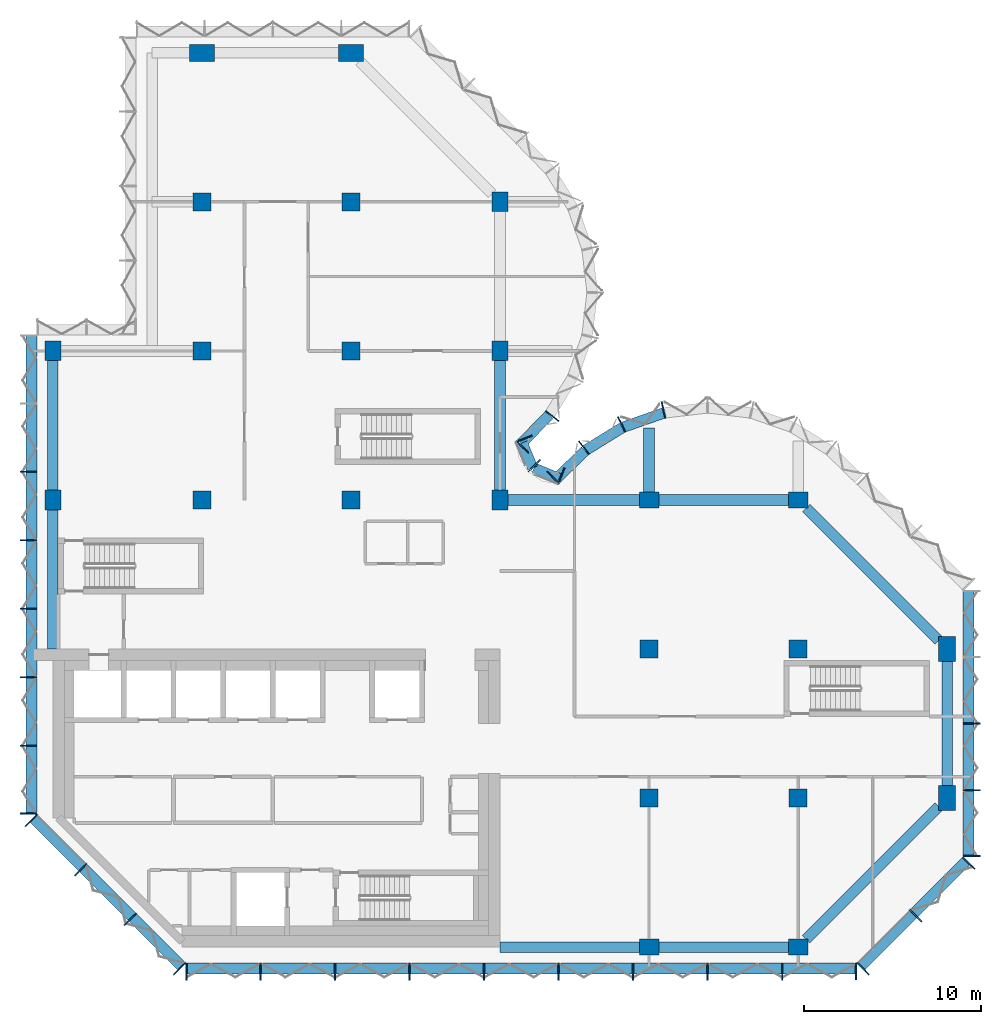
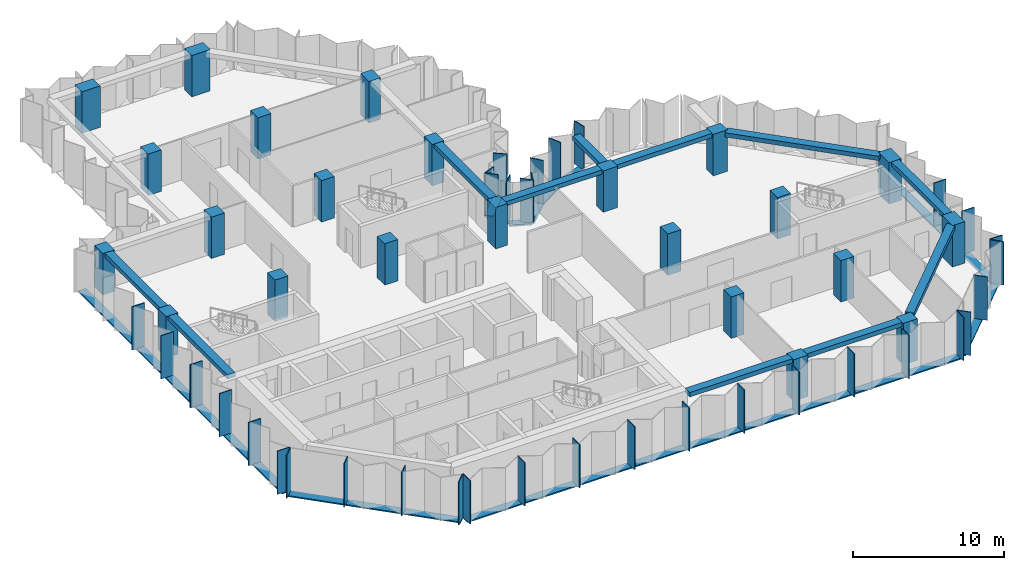
# One storey, part 1 of 9: 46 members, 23 columns, 11 beams, 8 elements without a shape of their own.
"""IFC4 building model written with IfcOpenShell, lengths in metres."""

from ifc_helpers import new_model, si_unit, direction, frame, origin, origin_2d, place, context, subcontext, project, spatial, rectangle, extrude, material, material_profile, profile_set, type_object, element, aggregate, save


model = new_model("IFC4")

# Units and contexts
model_context = context("Model", 3, precision=1e-05, world=origin(), true_north=direction((0.0, 1.0)))
body_context = subcontext(model_context, "Body", "Model", "MODEL_VIEW")
ifc_project = project(units=[si_unit("LENGTHUNIT", "METRE"), si_unit("AREAUNIT", "SQUARE_METRE"), si_unit("VOLUMEUNIT", "CUBIC_METRE"), si_unit("PLANEANGLEUNIT", "RADIAN"), si_unit("MASSUNIT", "GRAM", prefix="KILO")], contexts=[model_context])

# Site, building, storey
site_placement = place(None, origin())
site = spatial("IfcSite", under=ifc_project, at=site_placement, CompositionType="ELEMENT")
building_placement = place(site_placement, origin())
building = spatial("IfcBuilding", under=site, at=building_placement, Name="Brevane Broadcast Tower", CompositionType="ELEMENT")
storey_placement = place(building_placement, frame((0.0, 0.0, 192.0)))
storey = spatial("IfcBuildingStorey", under=building, at=storey_placement, Name="L48", CompositionType="ELEMENT", Elevation=192.0)

# Columns
ifc_material_1 = material(Name="Concrete C60/75", Category="concrete")
ifc_material_profile_1 = material_profile(ifc_material_1, rectangle(XDim=0.89990234375, YDim=1.10009765625, at=origin_2d()), Name="RC 900x1100")
ifc_profile_set_1 = profile_set([ifc_material_profile_1], Name="Concrete C60/75")
column_type_1 = type_object("IfcColumnType", Name="RC COLUMN EDGE 900x1100 C60/75", PredefinedType="COLUMN", material=ifc_profile_set_1)
for number, where, z_axis, x_axis, name in (
    (1, (0.0, 25.199951171875, 0.0), (0.0, 0.0, 1.0), (1.0, 0.0, 0.0), "CE11 1/D"),
    (2, (0.0, 33.60009765625, 0.0), (0.0, 0.0, 1.0), (1.0, 0.0, 0.0), "CE11 1/E"),
    (3, (25.199951171875, 25.199951171875, 0.0), (0.0, 0.0, 1.0), (1.0, 0.0, 0.0), "CE11 4/D"),
    (4, (25.199951171875, 33.60009765625, 0.0), (0.0, 0.0, 1.0), (1.0, 0.0, 0.0), "CE11 4/E"),
    (5, (25.199951171875, 42.0, 0.0), (0.0, 0.0, 1.0), (1.0, 0.0, 0.0), "CE11 4/F"),
    (6, (33.60009765625, 0.0, 0.0), (0.0, 0.0, 1.0), (0.0, 1.0, 0.0), "CE11 5/A"),
    (7, (33.60009765625, 25.199951171875, 0.0), (0.0, 0.0, 1.0), (0.0, 1.0, 0.0), "CE11 5/D"),
    (8, (42.0, 0.0, 0.0), (0.0, 0.0, 1.0), (0.0, 1.0, 0.0), "CE11 6/A"),
    (9, (42.0, 25.199951171875, 0.0), (0.0, 0.0, 1.0), (0.0, 1.0, 0.0), "CE11 6/D"),
):
    element("IfcColumn", number, at=place(storey_placement, frame(where, z_axis=z_axis, x_axis=x_axis)), inside=storey, type_object=column_type_1, Name=name, PredefinedType="COLUMN", context=body_context, shape_type="SweptSolid", body=[
        extrude(rectangle(XDim=0.89990234375, YDim=1.10009765625, at=origin_2d()), origin(), (0.0, 0.0, 1.0), 3.35009765625),
    ])
ifc_material_profile_2 = material_profile(ifc_material_1, rectangle(XDim=1.0, YDim=1.0, at=origin_2d()), Name="RC 1000x1000")
ifc_profile_set_2 = profile_set([ifc_material_profile_2], Name="Concrete C60/75")
column_type_2 = type_object("IfcColumnType", Name="RC COLUMN INTERIOR 1000x1000 C60/75", PredefinedType="COLUMN", material=ifc_profile_set_2)
for number, where, z_axis, x_axis, name in (
    (10, (8.39990234375, 25.199951171875, 0.0), (0.0, 0.0, 1.0), (1.0, 0.0, 0.0), "CI12 2/D"),
    (11, (8.39990234375, 33.60009765625, 0.0), (0.0, 0.0, 1.0), (1.0, 0.0, 0.0), "CI12 2/E"),
    (12, (8.39990234375, 42.0, 0.0), (0.0, 0.0, 1.0), (1.0, 0.0, 0.0), "CI12 2/F"),
    (13, (16.800048828125, 25.199951171875, 0.0), (0.0, 0.0, 1.0), (1.0, 0.0, 0.0), "CI12 3/D"),
    (14, (16.800048828125, 33.60009765625, 0.0), (0.0, 0.0, 1.0), (1.0, 0.0, 0.0), "CI12 3/E"),
    (15, (16.800048828125, 42.0, 0.0), (0.0, 0.0, 1.0), (1.0, 0.0, 0.0), "CI12 3/F"),
    (16, (33.60009765625, 8.39990234375, 0.0), (0.0, 0.0, 1.0), (1.0, 0.0, 0.0), "CI12 5/B"),
    (17, (33.60009765625, 16.800048828125, 0.0), (0.0, 0.0, 1.0), (1.0, 0.0, 0.0), "CI12 5/C"),
    (18, (42.0, 8.39990234375, 0.0), (0.0, 0.0, 1.0), (1.0, 0.0, 0.0), "CI12 6/B"),
    (19, (42.0, 16.800048828125, 0.0), (0.0, 0.0, 1.0), (1.0, 0.0, 0.0), "CI12 6/C"),
):
    element("IfcColumn", number, at=place(storey_placement, frame(where, z_axis=z_axis, x_axis=x_axis)), inside=storey, type_object=column_type_2, Name=name, PredefinedType="COLUMN", context=body_context, shape_type="SweptSolid", body=[
        extrude(rectangle(XDim=1.0, YDim=1.0, at=origin_2d()), origin(), (0.0, 0.0, 1.0), 3.35009765625),
    ])
ifc_material_profile_3 = material_profile(ifc_material_1, rectangle(XDim=0.949951171875, YDim=1.39990234375, at=origin_2d()), Name="RC 950x1400")
ifc_profile_set_3 = profile_set([ifc_material_profile_3], Name="Concrete C60/75")
column_type_3 = type_object("IfcColumnType", Name="RC COLUMN WING-END 950x1400 C60/75", PredefinedType="COLUMN", material=ifc_profile_set_3)
for number, where, z_axis, x_axis, name in (
    (20, (8.39990234375, 50.39990234375, 0.0), (0.0, 0.0, 1.0), (0.0, 1.0, 0.0), "CW13 2/G"),
    (21, (16.800048828125, 50.39990234375, 0.0), (0.0, 0.0, 1.0), (0.0, 1.0, 0.0), "CW13 3/G"),
    (22, (50.39990234375, 8.39990234375, 0.0), (0.0, 0.0, 1.0), (1.0, 0.0, 0.0), "CW13 7/B"),
    (23, (50.39990234375, 16.800048828125, 0.0), (0.0, 0.0, 1.0), (1.0, 0.0, 0.0), "CW13 7/C"),
):
    element("IfcColumn", number, at=place(storey_placement, frame(where, z_axis=z_axis, x_axis=x_axis)), inside=storey, type_object=column_type_3, Name=name, PredefinedType="COLUMN", context=body_context, shape_type="SweptSolid", body=[
        extrude(rectangle(XDim=0.949951171875, YDim=1.39990234375, at=origin_2d()), origin(), (0.0, 0.0, 1.0), 3.35009765625),
    ])

# Curtain wall, members
ifc_material_2 = material(Name="Aluminium 6063-T6 bronze anodised", Category="aluminium")
curtain_wall_type = type_object("IfcCurtainWallType", Name="CW-1 curtain wall", PredefinedType="NOTDEFINED", material=ifc_material_2)
curtain_wall_1_placement = place(storey_placement, origin())
curtain_wall_1 = element("IfcCurtainWall", 24, at=curtain_wall_1_placement, inside=storey, type_object=curtain_wall_type, Name="CW-1 typical tilted unit L48 south face", PredefinedType="NOTDEFINED")
ifc_material_profile_4 = material_profile(ifc_material_2, rectangle(XDim=0.949951171875, YDim=0.070068359375, at=origin_2d()), Name="RECT 70x950")
ifc_profile_set_4 = profile_set([ifc_material_profile_4], Name="Aluminium 6063-T6 bronze anodised")
member_type_1 = type_object("IfcMemberType", Name="CW-1 mullion 70x950", PredefinedType="MULLION", material=ifc_profile_set_4)
member_1_placement = place(storey_placement, frame((7.534912109375, -1.375, -0.14990234375), z_axis=(0.0, 0.0, 1.0), x_axis=(0.0, 1.0, 0.0)))
member_1 = element("IfcMember", 25, at=member_1_placement, type_object=member_type_1, Name="CW-1 mullion", PredefinedType="MULLION", context=body_context, shape_type="SweptSolid", body=[
    extrude(rectangle(XDim=0.949951171875, YDim=0.070068359375, at=origin_2d()), origin(), (0.0, 0.0, 1.0), 3.5),
])
member_2_placement = place(storey_placement, frame((11.699951171875, -1.375, -0.14990234375), z_axis=(0.0, 0.0, 1.0), x_axis=(0.0, 1.0, 0.0)))
member_2 = element("IfcMember", 26, at=member_2_placement, type_object=member_type_1, Name="CW-1 mullion", PredefinedType="MULLION", context=body_context, shape_type="SweptSolid", body=[
    extrude(rectangle(XDim=0.949951171875, YDim=0.070068359375, at=origin_2d()), origin(), (0.0, 0.0, 1.0), 3.5),
])
member_3_placement = place(storey_placement, frame((15.89990234375, -1.375, -0.14990234375), z_axis=(0.0, 0.0, 1.0), x_axis=(0.0, 1.0, 0.0)))
member_3 = element("IfcMember", 27, at=member_3_placement, type_object=member_type_1, Name="CW-1 mullion", PredefinedType="MULLION", context=body_context, shape_type="SweptSolid", body=[
    extrude(rectangle(XDim=0.949951171875, YDim=0.070068359375, at=origin_2d()), origin(), (0.0, 0.0, 1.0), 3.5),
])
member_4_placement = place(storey_placement, frame((20.10009765625, -1.375, -0.14990234375), z_axis=(0.0, 0.0, 1.0), x_axis=(0.0, 1.0, 0.0)))
member_4 = element("IfcMember", 28, at=member_4_placement, type_object=member_type_1, Name="CW-1 mullion", PredefinedType="MULLION", context=body_context, shape_type="SweptSolid", body=[
    extrude(rectangle(XDim=0.949951171875, YDim=0.070068359375, at=origin_2d()), origin(), (0.0, 0.0, 1.0), 3.5),
])
member_5_placement = place(storey_placement, frame((24.300048828125, -1.375, -0.14990234375), z_axis=(0.0, 0.0, 1.0), x_axis=(0.0, 1.0, 0.0)))
member_5 = element("IfcMember", 29, at=member_5_placement, type_object=member_type_1, Name="CW-1 mullion", PredefinedType="MULLION", context=body_context, shape_type="SweptSolid", body=[
    extrude(rectangle(XDim=0.949951171875, YDim=0.070068359375, at=origin_2d()), origin(), (0.0, 0.0, 1.0), 3.5),
])
member_6_placement = place(storey_placement, frame((28.5, -1.375, -0.14990234375), z_axis=(0.0, 0.0, 1.0), x_axis=(0.0, 1.0, 0.0)))
member_6 = element("IfcMember", 30, at=member_6_placement, type_object=member_type_1, Name="CW-1 mullion", PredefinedType="MULLION", context=body_context, shape_type="SweptSolid", body=[
    extrude(rectangle(XDim=0.949951171875, YDim=0.070068359375, at=origin_2d()), origin(), (0.0, 0.0, 1.0), 3.5),
])
member_7_placement = place(storey_placement, frame((32.699951171875, -1.375, -0.14990234375), z_axis=(0.0, 0.0, 1.0), x_axis=(0.0, 1.0, 0.0)))
member_7 = element("IfcMember", 31, at=member_7_placement, type_object=member_type_1, Name="CW-1 mullion", PredefinedType="MULLION", context=body_context, shape_type="SweptSolid", body=[
    extrude(rectangle(XDim=0.949951171875, YDim=0.070068359375, at=origin_2d()), origin(), (0.0, 0.0, 1.0), 3.5),
])
member_8_placement = place(storey_placement, frame((36.89990234375, -1.375, -0.14990234375), z_axis=(0.0, 0.0, 1.0), x_axis=(0.0, 1.0, 0.0)))
member_8 = element("IfcMember", 32, at=member_8_placement, type_object=member_type_1, Name="CW-1 mullion", PredefinedType="MULLION", context=body_context, shape_type="SweptSolid", body=[
    extrude(rectangle(XDim=0.949951171875, YDim=0.070068359375, at=origin_2d()), origin(), (0.0, 0.0, 1.0), 3.5),
])
member_9_placement = place(storey_placement, frame((41.10009765625, -1.375, -0.14990234375), z_axis=(0.0, 0.0, 1.0), x_axis=(0.0, 1.0, 0.0)))
member_9 = element("IfcMember", 33, at=member_9_placement, type_object=member_type_1, Name="CW-1 mullion", PredefinedType="MULLION", context=body_context, shape_type="SweptSolid", body=[
    extrude(rectangle(XDim=0.949951171875, YDim=0.070068359375, at=origin_2d()), origin(), (0.0, 0.0, 1.0), 3.5),
])
member_10_placement = place(storey_placement, frame((45.264892578125, -1.375, -0.14990234375), z_axis=(0.0, 0.0, 1.0), x_axis=(0.0, 1.0, 0.0)))
member_10 = element("IfcMember", 34, at=member_10_placement, type_object=member_type_1, Name="CW-1 mullion", PredefinedType="MULLION", context=body_context, shape_type="SweptSolid", body=[
    extrude(rectangle(XDim=0.949951171875, YDim=0.070068359375, at=origin_2d()), origin(), (0.0, 0.0, 1.0), 3.5),
])

curtain_wall_2_placement = place(storey_placement, origin())
curtain_wall_2 = element("IfcCurtainWall", 35, at=curtain_wall_2_placement, inside=storey, type_object=curtain_wall_type, Name="CW-1 typical tilted unit L48 south-east chamfer", PredefinedType="NOTDEFINED")
member_11_placement = place(storey_placement, frame((45.66064453125, -1.211181640625, -0.14990234375), z_axis=(0.0, 0.0, 1.0), x_axis=(-0.707106781187, 0.707106781187, 0.0)))
member_11 = element("IfcMember", 36, at=member_11_placement, type_object=member_type_1, Name="CW-1 mullion", PredefinedType="MULLION", context=body_context, shape_type="SweptSolid", body=[
    extrude(rectangle(XDim=0.949951171875, YDim=0.070068359375, at=origin_2d()), origin(), (0.0, 0.0, 1.0), 3.5),
])
member_12_placement = place(storey_placement, frame((48.635986328125, 1.76416015625, -0.14990234375), z_axis=(0.0, 0.0, 1.0), x_axis=(-0.707106781187, 0.707106781187, 0.0)))
member_12 = element("IfcMember", 37, at=member_12_placement, type_object=member_type_1, Name="CW-1 mullion", PredefinedType="MULLION", context=body_context, shape_type="SweptSolid", body=[
    extrude(rectangle(XDim=0.949951171875, YDim=0.070068359375, at=origin_2d()), origin(), (0.0, 0.0, 1.0), 3.5),
])
member_13_placement = place(storey_placement, frame((51.611083984375, 4.7392578125, -0.14990234375), z_axis=(0.0, 0.0, 1.0), x_axis=(-0.707106781187, 0.707106781187, 0.0)))
member_13 = element("IfcMember", 38, at=member_13_placement, type_object=member_type_1, Name="CW-1 mullion", PredefinedType="MULLION", context=body_context, shape_type="SweptSolid", body=[
    extrude(rectangle(XDim=0.949951171875, YDim=0.070068359375, at=origin_2d()), origin(), (0.0, 0.0, 1.0), 3.5),
])

curtain_wall_3_placement = place(storey_placement, origin())
curtain_wall_3 = element("IfcCurtainWall", 39, at=curtain_wall_3_placement, inside=storey, type_object=curtain_wall_type, Name="CW-1 typical tilted unit L48 east end", PredefinedType="NOTDEFINED")
member_14_placement = place(storey_placement, frame((51.77490234375, 5.135009765625, -0.14990234375), z_axis=(0.0, 0.0, 1.0), x_axis=(-1.0, 0.0, 0.0)))
member_14 = element("IfcMember", 40, at=member_14_placement, type_object=member_type_1, Name="CW-1 mullion", PredefinedType="MULLION", context=body_context, shape_type="SweptSolid", body=[
    extrude(rectangle(XDim=0.949951171875, YDim=0.070068359375, at=origin_2d()), origin(), (0.0, 0.0, 1.0), 3.5),
])
member_15_placement = place(storey_placement, frame((51.77490234375, 8.85009765625, -0.14990234375), z_axis=(0.0, 0.0, 1.0), x_axis=(-1.0, 0.0, 0.0)))
member_15 = element("IfcMember", 41, at=member_15_placement, type_object=member_type_1, Name="CW-1 mullion", PredefinedType="MULLION", context=body_context, shape_type="SweptSolid", body=[
    extrude(rectangle(XDim=0.949951171875, YDim=0.070068359375, at=origin_2d()), origin(), (0.0, 0.0, 1.0), 3.5),
])
member_16_placement = place(storey_placement, frame((51.77490234375, 12.60009765625, -0.14990234375), z_axis=(0.0, 0.0, 1.0), x_axis=(-1.0, 0.0, 0.0)))
member_16 = element("IfcMember", 42, at=member_16_placement, type_object=member_type_1, Name="CW-1 mullion", PredefinedType="MULLION", context=body_context, shape_type="SweptSolid", body=[
    extrude(rectangle(XDim=0.949951171875, YDim=0.070068359375, at=origin_2d()), origin(), (0.0, 0.0, 1.0), 3.5),
])

curtain_wall_4_placement = place(storey_placement, origin())
curtain_wall_4 = element("IfcCurtainWall", 43, at=curtain_wall_4_placement, inside=storey, type_object=curtain_wall_type, Name="CW-1 typical tilted unit L48 east bow", PredefinedType="NOTDEFINED")
member_17_placement = place(storey_placement, frame((34.411865234375, 30.28076171875, -0.14990234375), z_axis=(0.0, 0.0, 1.0), x_axis=(0.224806535479, -0.974403418306, 0.0)))
member_17 = element("IfcMember", 44, at=member_17_placement, type_object=member_type_1, Name="CW-1 mullion", PredefinedType="MULLION", context=body_context, shape_type="SweptSolid", body=[
    extrude(rectangle(XDim=0.949951171875, YDim=0.070068359375, at=origin_2d()), origin(), (0.0, 0.0, 1.0), 3.5),
])
member_18_placement = place(storey_placement, frame((32.05322265625, 29.4580078125, -0.14990234375), z_axis=(0.0, 0.0, 1.0), x_axis=(0.429933580394, -0.902860518823, 0.0)))
member_18 = element("IfcMember", 45, at=member_18_placement, type_object=member_type_1, Name="CW-1 mullion", PredefinedType="MULLION", context=body_context, shape_type="SweptSolid", body=[
    extrude(rectangle(XDim=0.949951171875, YDim=0.070068359375, at=origin_2d()), origin(), (0.0, 0.0, 1.0), 3.5),
])
member_19_placement = place(storey_placement, frame((29.927978515625, 28.1455078125, -0.14990234375), z_axis=(0.0, 0.0, 1.0), x_axis=(0.614769698862, -0.788706673841, 0.0)))
member_19 = element("IfcMember", 46, at=member_19_placement, type_object=member_type_1, Name="CW-1 mullion", PredefinedType="MULLION", context=body_context, shape_type="SweptSolid", body=[
    extrude(rectangle(XDim=0.949951171875, YDim=0.070068359375, at=origin_2d()), origin(), (0.0, 0.0, 1.0), 3.5),
])
member_20_placement = place(storey_placement, frame((28.194091796875, 26.465087890625, -0.14990234375), z_axis=(0.0, 0.0, 1.0), x_axis=(0.696812089895, -0.717253728729, 0.0)))
member_20 = element("IfcMember", 47, at=member_20_placement, type_object=member_type_1, Name="CW-1 mullion", PredefinedType="MULLION", context=body_context, shape_type="SweptSolid", body=[
    extrude(rectangle(XDim=0.949951171875, YDim=0.070068359375, at=origin_2d()), origin(), (0.0, 0.0, 1.0), 3.5),
])

curtain_wall_5_placement = place(storey_placement, origin())
curtain_wall_5 = element("IfcCurtainWall", 48, at=curtain_wall_5_placement, inside=storey, type_object=curtain_wall_type, Name="CW-1 typical tilted unit L48 inner corner", PredefinedType="NOTDEFINED")
member_21_placement = place(storey_placement, frame((28.6494140625, 26.55224609375, -0.14990234375), z_axis=(0.0, 0.0, 1.0), x_axis=(-0.382683432365, -0.923879532511, 0.0)))
member_21 = element("IfcMember", 49, at=member_21_placement, type_object=member_type_1, Name="CW-1 mullion", PredefinedType="MULLION", context=body_context, shape_type="SweptSolid", body=[
    extrude(rectangle(XDim=0.949951171875, YDim=0.070068359375, at=origin_2d()), origin(), (0.0, 0.0, 1.0), 3.5),
])
member_22_placement = place(storey_placement, frame((27.138916015625, 27.138916015625, -0.14990234375), z_axis=(0.0, 0.0, 1.0), x_axis=(-0.707106781187, -0.707106781187, 0.0)))
member_22 = element("IfcMember", 50, at=member_22_placement, type_object=member_type_1, Name="CW-1 mullion", PredefinedType="MULLION", context=body_context, shape_type="SweptSolid", body=[
    extrude(rectangle(XDim=0.949951171875, YDim=0.070068359375, at=origin_2d()), origin(), (0.0, 0.0, 1.0), 3.5),
])
member_23_placement = place(storey_placement, frame((26.55224609375, 28.6494140625, -0.14990234375), z_axis=(0.0, 0.0, 1.0), x_axis=(-0.923879532511, -0.382683432365, 0.0)))
member_23 = element("IfcMember", 51, at=member_23_placement, type_object=member_type_1, Name="CW-1 mullion", PredefinedType="MULLION", context=body_context, shape_type="SweptSolid", body=[
    extrude(rectangle(XDim=0.949951171875, YDim=0.070068359375, at=origin_2d()), origin(), (0.0, 0.0, 1.0), 3.5),
])

curtain_wall_6_placement = place(storey_placement, origin())
curtain_wall_6 = element("IfcCurtainWall", 52, at=curtain_wall_6_placement, inside=storey, type_object=curtain_wall_type, Name="CW-1 typical tilted unit L48 north bow", PredefinedType="NOTDEFINED")
member_24_placement = place(storey_placement, frame((26.465087890625, 28.194091796875, -0.14990234375), z_axis=(0.0, 0.0, 1.0), x_axis=(-0.717253728729, 0.696812089895, 0.0)))
member_24 = element("IfcMember", 53, at=member_24_placement, type_object=member_type_1, Name="CW-1 mullion", PredefinedType="MULLION", context=body_context, shape_type="SweptSolid", body=[
    extrude(rectangle(XDim=0.949951171875, YDim=0.070068359375, at=origin_2d()), origin(), (0.0, 0.0, 1.0), 3.5),
])
member_25_placement = place(storey_placement, frame((28.1455078125, 29.927978515625, -0.14990234375), z_axis=(0.0, 0.0, 1.0), x_axis=(-0.788706673841, 0.614769698862, 0.0)))
member_25 = element("IfcMember", 54, at=member_25_placement, type_object=member_type_1, Name="CW-1 mullion", PredefinedType="MULLION", context=body_context, shape_type="SweptSolid", body=[
    extrude(rectangle(XDim=0.949951171875, YDim=0.070068359375, at=origin_2d()), origin(), (0.0, 0.0, 1.0), 3.5),
])

curtain_wall_7_placement = place(storey_placement, origin())
curtain_wall_7 = element("IfcCurtainWall", 55, at=curtain_wall_7_placement, inside=storey, type_object=curtain_wall_type, Name="CW-1 typical tilted unit L48 west face", PredefinedType="NOTDEFINED")
member_26_placement = place(storey_placement, frame((-1.375, 26.78564453125, -0.14990234375), z_axis=(0.0, 0.0, 1.0), x_axis=(1.0, 0.0, 0.0)))
member_26 = element("IfcMember", 56, at=member_26_placement, type_object=member_type_1, Name="CW-1 mullion", PredefinedType="MULLION", context=body_context, shape_type="SweptSolid", body=[
    extrude(rectangle(XDim=0.949951171875, YDim=0.070068359375, at=origin_2d()), origin(), (0.0, 0.0, 1.0), 3.5),
])
member_27_placement = place(storey_placement, frame((-1.375, 22.928466796875, -0.14990234375), z_axis=(0.0, 0.0, 1.0), x_axis=(1.0, 0.0, 0.0)))
member_27 = element("IfcMember", 57, at=member_27_placement, type_object=member_type_1, Name="CW-1 mullion", PredefinedType="MULLION", context=body_context, shape_type="SweptSolid", body=[
    extrude(rectangle(XDim=0.949951171875, YDim=0.070068359375, at=origin_2d()), origin(), (0.0, 0.0, 1.0), 3.5),
])
member_28_placement = place(storey_placement, frame((-1.375, 19.071533203125, -0.14990234375), z_axis=(0.0, 0.0, 1.0), x_axis=(1.0, 0.0, 0.0)))
member_28 = element("IfcMember", 58, at=member_28_placement, type_object=member_type_1, Name="CW-1 mullion", PredefinedType="MULLION", context=body_context, shape_type="SweptSolid", body=[
    extrude(rectangle(XDim=0.949951171875, YDim=0.070068359375, at=origin_2d()), origin(), (0.0, 0.0, 1.0), 3.5),
])
member_29_placement = place(storey_placement, frame((-1.375, 15.21435546875, -0.14990234375), z_axis=(0.0, 0.0, 1.0), x_axis=(1.0, 0.0, 0.0)))
member_29 = element("IfcMember", 59, at=member_29_placement, type_object=member_type_1, Name="CW-1 mullion", PredefinedType="MULLION", context=body_context, shape_type="SweptSolid", body=[
    extrude(rectangle(XDim=0.949951171875, YDim=0.070068359375, at=origin_2d()), origin(), (0.0, 0.0, 1.0), 3.5),
])
member_30_placement = place(storey_placement, frame((-1.375, 11.357177734375, -0.14990234375), z_axis=(0.0, 0.0, 1.0), x_axis=(1.0, 0.0, 0.0)))
member_30 = element("IfcMember", 60, at=member_30_placement, type_object=member_type_1, Name="CW-1 mullion", PredefinedType="MULLION", context=body_context, shape_type="SweptSolid", body=[
    extrude(rectangle(XDim=0.949951171875, YDim=0.070068359375, at=origin_2d()), origin(), (0.0, 0.0, 1.0), 3.5),
])
member_31_placement = place(storey_placement, frame((-1.375, 7.534912109375, -0.14990234375), z_axis=(0.0, 0.0, 1.0), x_axis=(1.0, 0.0, 0.0)))
member_31 = element("IfcMember", 61, at=member_31_placement, type_object=member_type_1, Name="CW-1 mullion", PredefinedType="MULLION", context=body_context, shape_type="SweptSolid", body=[
    extrude(rectangle(XDim=0.949951171875, YDim=0.070068359375, at=origin_2d()), origin(), (0.0, 0.0, 1.0), 3.5),
])

curtain_wall_8_placement = place(storey_placement, origin())
curtain_wall_8 = element("IfcCurtainWall", 62, at=curtain_wall_8_placement, inside=storey, type_object=curtain_wall_type, Name="CW-1 typical tilted unit L48 south-west chamfer", PredefinedType="NOTDEFINED")
member_32_placement = place(storey_placement, frame((-1.211181640625, 7.139404296875, -0.14990234375), z_axis=(0.0, 0.0, 1.0), x_axis=(0.707106781187, 0.707106781187, 0.0)))
member_32 = element("IfcMember", 63, at=member_32_placement, type_object=member_type_1, Name="CW-1 mullion", PredefinedType="MULLION", context=body_context, shape_type="SweptSolid", body=[
    extrude(rectangle(XDim=0.949951171875, YDim=0.070068359375, at=origin_2d()), origin(), (0.0, 0.0, 1.0), 3.5),
])
member_33_placement = place(storey_placement, frame((1.564208984375, 4.364013671875, -0.14990234375), z_axis=(0.0, 0.0, 1.0), x_axis=(0.707106781187, 0.707106781187, 0.0)))
member_33 = element("IfcMember", 64, at=member_33_placement, type_object=member_type_1, Name="CW-1 mullion", PredefinedType="MULLION", context=body_context, shape_type="SweptSolid", body=[
    extrude(rectangle(XDim=0.949951171875, YDim=0.070068359375, at=origin_2d()), origin(), (0.0, 0.0, 1.0), 3.5),
])
member_34_placement = place(storey_placement, frame((4.364013671875, 1.564208984375, -0.14990234375), z_axis=(0.0, 0.0, 1.0), x_axis=(0.707106781187, 0.707106781187, 0.0)))
member_34 = element("IfcMember", 65, at=member_34_placement, type_object=member_type_1, Name="CW-1 mullion", PredefinedType="MULLION", context=body_context, shape_type="SweptSolid", body=[
    extrude(rectangle(XDim=0.949951171875, YDim=0.070068359375, at=origin_2d()), origin(), (0.0, 0.0, 1.0), 3.5),
])
member_35_placement = place(storey_placement, frame((7.139404296875, -1.211181640625, -0.14990234375), z_axis=(0.0, 0.0, 1.0), x_axis=(0.707106781187, 0.707106781187, 0.0)))
member_35 = element("IfcMember", 66, at=member_35_placement, type_object=member_type_1, Name="CW-1 mullion", PredefinedType="MULLION", context=body_context, shape_type="SweptSolid", body=[
    extrude(rectangle(XDim=0.949951171875, YDim=0.070068359375, at=origin_2d()), origin(), (0.0, 0.0, 1.0), 3.5),
])

# Member
ifc_material_profile_5 = material_profile(ifc_material_2, rectangle(XDim=0.60009765625, YDim=0.10009765625, at=origin_2d()), Name="RECT 100x600")
ifc_profile_set_5 = profile_set([ifc_material_profile_5], Name="Aluminium 6063-T6 bronze anodised")
member_type_2 = type_object("IfcMemberType", Name="CW-1 transom 100x600", PredefinedType="USERDEFINED", material=ifc_profile_set_5)
member_36_placement = place(storey_placement, frame((7.5, -1.199951171875, -0.199951171875), z_axis=(1.0, 0.0, 0.0), x_axis=(0.0, 1.0, 0.0)))
member_36 = element("IfcMember", 67, at=member_36_placement, type_object=member_type_2, Name="CW-1 transom", ObjectType="TRANSOM", PredefinedType="USERDEFINED", context=body_context, shape_type="SweptSolid", body=[
    extrude(rectangle(XDim=0.60009765625, YDim=0.10009765625, at=origin_2d()), origin(), (0.0, 0.0, 1.0), 37.800048828125),
])

aggregate(curtain_wall_1, [member_1, member_2, member_3, member_4, member_5, member_6, member_7, member_8, member_9, member_10, member_36])

member_37_placement = place(storey_placement, frame((45.51220703125, -1.112060546875, -0.199951171875), z_axis=(0.707106781187, 0.707106781187, 0.0), x_axis=(-0.707106781187, 0.707106781187, 0.0)))
member_37 = element("IfcMember", 68, at=member_37_placement, type_object=member_type_2, Name="CW-1 transom", ObjectType="TRANSOM", PredefinedType="USERDEFINED", context=body_context, shape_type="SweptSolid", body=[
    extrude(rectangle(XDim=0.60009765625, YDim=0.10009765625, at=origin_2d()), origin(), (0.0, 0.0, 1.0), 8.4853515625),
])

aggregate(curtain_wall_2, [member_11, member_12, member_13, member_37])

member_38_placement = place(storey_placement, frame((51.60009765625, 5.10009765625, -0.199951171875), z_axis=(0.0, 1.0, 0.0), x_axis=(-1.0, 0.0, 0.0)))
member_38 = element("IfcMember", 69, at=member_38_placement, type_object=member_type_2, Name="CW-1 transom", ObjectType="TRANSOM", PredefinedType="USERDEFINED", context=body_context, shape_type="SweptSolid", body=[
    extrude(rectangle(XDim=0.60009765625, YDim=0.10009765625, at=origin_2d()), origin(), (0.0, 0.0, 1.0), 15.0),
])

aggregate(curtain_wall_3, [member_14, member_15, member_16, member_38])

member_39_placement = place(storey_placement, frame((34.425048828125, 30.10302734375, -0.199951171875), z_axis=(-0.944197969542, -0.329378497041, 0.0), x_axis=(0.329378497041, -0.944197969542, 0.0)))
member_39 = element("IfcMember", 70, at=member_39_placement, type_object=member_type_2, Name="CW-1 transom", ObjectType="TRANSOM", PredefinedType="USERDEFINED", context=body_context, shape_type="SweptSolid", body=[
    extrude(rectangle(XDim=0.60009765625, YDim=0.10009765625, at=origin_2d()), origin(), (0.0, 0.0, 1.0), 2.394775390625),
])

member_40_placement = place(storey_placement, frame((32.09521484375, 29.281494140625, -0.199951171875), z_axis=(-0.850838211365, -0.525427766759, 0.0), x_axis=(0.525427766759, -0.850838211365, 0.0)))
member_40 = element("IfcMember", 71, at=member_40_placement, type_object=member_type_2, Name="CW-1 transom", ObjectType="TRANSOM", PredefinedType="USERDEFINED", context=body_context, shape_type="SweptSolid", body=[
    extrude(rectangle(XDim=0.60009765625, YDim=0.10009765625, at=origin_2d()), origin(), (0.0, 0.0, 1.0), 2.394775390625),
])

member_41_placement = place(storey_placement, frame((29.99951171875, 27.974365234375, -0.199951171875), z_axis=(-0.71724215871, -0.696823999134, 0.0), x_axis=(0.696823999134, -0.71724215871, 0.0)))
member_41 = element("IfcMember", 72, at=member_41_placement, type_object=member_type_2, Name="CW-1 transom", ObjectType="TRANSOM", PredefinedType="USERDEFINED", context=body_context, shape_type="SweptSolid", body=[
    extrude(rectangle(XDim=0.60009765625, YDim=0.10009765625, at=origin_2d()), origin(), (0.0, 0.0, 1.0), 2.247802734375),
])

aggregate(curtain_wall_4, [member_17, member_18, member_19, member_20, member_39, member_40, member_41])

member_42_placement = place(storey_placement, frame((28.528076171875, 26.40673828125, -0.199951171875), z_axis=(-0.923883243627, 0.382674472816, 0.0), x_axis=(-0.382674472816, -0.923883243627, 0.0)))
member_42 = element("IfcMember", 73, at=member_42_placement, type_object=member_type_2, Name="CW-1 transom", ObjectType="TRANSOM", PredefinedType="USERDEFINED", context=body_context, shape_type="SweptSolid", body=[
    extrude(rectangle(XDim=0.60009765625, YDim=0.10009765625, at=origin_2d()), origin(), (0.0, 0.0, 1.0), 1.536865234375),
])

member_43_placement = place(storey_placement, frame((27.039794921875, 27.0, -0.199951171875), z_axis=(-0.382674472816, 0.923883243627, 0.0), x_axis=(-0.923883243627, -0.382674472816, 0.0)))
member_43 = element("IfcMember", 74, at=member_43_placement, type_object=member_type_2, Name="CW-1 transom", ObjectType="TRANSOM", PredefinedType="USERDEFINED", context=body_context, shape_type="SweptSolid", body=[
    extrude(rectangle(XDim=0.60009765625, YDim=0.10009765625, at=origin_2d()), origin(), (0.0, 0.0, 1.0), 1.536865234375),
])

aggregate(curtain_wall_5, [member_21, member_22, member_23, member_42, member_43])

member_44_placement = place(storey_placement, frame((26.407958984375, 28.38720703125, -0.199951171875), z_axis=(0.696823999134, 0.71724215871, 0.0), x_axis=(-0.71724215871, 0.696823999134, 0.0)))
member_44 = element("IfcMember", 75, at=member_44_placement, type_object=member_type_2, Name="CW-1 transom", ObjectType="TRANSOM", PredefinedType="USERDEFINED", context=body_context, shape_type="SweptSolid", body=[
    extrude(rectangle(XDim=0.60009765625, YDim=0.10009765625, at=origin_2d()), origin(), (0.0, 0.0, 1.0), 2.247802734375),
])

aggregate(curtain_wall_6, [member_24, member_25, member_44])

member_45_placement = place(storey_placement, frame((-1.199951171875, 34.5, -0.199951171875), z_axis=(0.0, -1.0, 0.0), x_axis=(1.0, 0.0, 0.0)))
member_45 = element("IfcMember", 76, at=member_45_placement, type_object=member_type_2, Name="CW-1 transom", ObjectType="TRANSOM", PredefinedType="USERDEFINED", context=body_context, shape_type="SweptSolid", body=[
    extrude(rectangle(XDim=0.60009765625, YDim=0.10009765625, at=origin_2d()), origin(), (0.0, 0.0, 1.0), 27.0),
])

aggregate(curtain_wall_7, [member_26, member_27, member_28, member_29, member_30, member_31, member_45])

member_46_placement = place(storey_placement, frame((-1.112060546875, 7.287841796875, -0.199951171875), z_axis=(0.707106781187, -0.707106781187, 0.0), x_axis=(0.707106781187, 0.707106781187, 0.0)))
member_46 = element("IfcMember", 77, at=member_46_placement, type_object=member_type_2, Name="CW-1 transom", ObjectType="TRANSOM", PredefinedType="USERDEFINED", context=body_context, shape_type="SweptSolid", body=[
    extrude(rectangle(XDim=0.60009765625, YDim=0.10009765625, at=origin_2d()), origin(), (0.0, 0.0, 1.0), 11.879150390625),
])

aggregate(curtain_wall_8, [member_32, member_33, member_34, member_35, member_46])

# Beams
ifc_material_3 = material(Name="Concrete C40/50", Category="concrete")
ifc_material_profile_6 = material_profile(ifc_material_3, rectangle(XDim=0.60009765625, YDim=0.35009765625, at=origin_2d()), Name="RC 600x350")
ifc_profile_set_6 = profile_set([ifc_material_profile_6], Name="Concrete C40/50")
beam_type_1 = type_object("IfcBeamType", Name="RC BRACKET BEAM 600x350 C40/50", PredefinedType="BEAM", material=ifc_profile_set_6)
beam_1_placement = place(storey_placement, frame((33.60009765625, 25.64990234375, 3.175048828125), z_axis=(0.0, 1.0, 0.0), x_axis=(-1.0, 0.0, 0.0)))
element("IfcBeam", 78, at=beam_1_placement, inside=storey, type_object=beam_type_1, Name="EB2 L48-3", PredefinedType="BEAM", context=body_context, shape_type="SweptSolid", body=[
    extrude(rectangle(XDim=0.60009765625, YDim=0.35009765625, at=origin_2d()), origin(), (0.0, 0.0, 1.0), 3.612060546875),
])
ifc_material_profile_7 = material_profile(ifc_material_3, rectangle(XDim=0.60009765625, YDim=0.35009765625, at=origin_2d()), Name="RC 600x350")
ifc_profile_set_7 = profile_set([ifc_material_profile_7], Name="Concrete C40/50")
beam_type_2 = type_object("IfcBeamType", Name="RC SPANDREL BEAM 600x350 C40/50", PredefinedType="SPANDREL", material=ifc_profile_set_7)
beam_2_placement = place(storey_placement, frame((25.199951171875, 0.0, 3.175048828125), z_axis=(1.0, 0.0, 0.0), x_axis=(0.0, 1.0, 0.0)))
element("IfcBeam", 79, at=beam_2_placement, inside=storey, type_object=beam_type_2, Name="EB1 L48-1", PredefinedType="SPANDREL", context=body_context, shape_type="SweptSolid", body=[
    extrude(rectangle(XDim=0.60009765625, YDim=0.35009765625, at=origin_2d()), origin(), (0.0, 0.0, 1.0), 7.85009765625),
])
beam_3_placement = place(storey_placement, frame((34.14990234375, 0.0, 3.175048828125), z_axis=(1.0, 0.0, 0.0), x_axis=(0.0, 1.0, 0.0)))
element("IfcBeam", 80, at=beam_3_placement, inside=storey, type_object=beam_type_2, Name="EB1 L48-2", PredefinedType="SPANDREL", context=body_context, shape_type="SweptSolid", body=[
    extrude(rectangle(XDim=0.60009765625, YDim=0.35009765625, at=origin_2d()), origin(), (0.0, 0.0, 1.0), 7.300048828125),
])
beam_4_placement = place(storey_placement, frame((42.449951171875, 0.449951171875, 3.175048828125), z_axis=(0.707106781187, 0.707106781187, 0.0), x_axis=(-0.707106781187, 0.707106781187, 0.0)))
element("IfcBeam", 81, at=beam_4_placement, inside=storey, type_object=beam_type_2, Name="EB1 L48-3", PredefinedType="SPANDREL", context=body_context, shape_type="SweptSolid", body=[
    extrude(rectangle(XDim=0.60009765625, YDim=0.35009765625, at=origin_2d()), origin(), (0.0, 0.0, 1.0), 10.5712890625),
])
beam_5_placement = place(storey_placement, frame((50.39990234375, 9.10009765625, 3.175048828125), z_axis=(0.0, 1.0, 0.0), x_axis=(-1.0, 0.0, 0.0)))
element("IfcBeam", 82, at=beam_5_placement, inside=storey, type_object=beam_type_2, Name="EB1 L48-4", PredefinedType="SPANDREL", context=body_context, shape_type="SweptSolid", body=[
    extrude(rectangle(XDim=0.60009765625, YDim=0.35009765625, at=origin_2d()), origin(), (0.0, 0.0, 1.0), 7.0),
])
beam_6_placement = place(storey_placement, frame((49.925048828125, 17.27490234375, 3.175048828125), z_axis=(-0.707106781187, 0.707106781187, 0.0), x_axis=(-0.707106781187, -0.707106781187, 0.0)))
element("IfcBeam", 83, at=beam_6_placement, inside=storey, type_object=beam_type_2, Name="EB1 L48-5", PredefinedType="SPANDREL", context=body_context, shape_type="SweptSolid", body=[
    extrude(rectangle(XDim=0.60009765625, YDim=0.35009765625, at=origin_2d()), origin(), (0.0, 0.0, 1.0), 10.5712890625),
])
beam_7_placement = place(storey_placement, frame((41.449951171875, 25.199951171875, 3.175048828125), z_axis=(-1.0, 0.0, 0.0), x_axis=(0.0, -1.0, 0.0)))
element("IfcBeam", 84, at=beam_7_placement, inside=storey, type_object=beam_type_2, Name="EB1 L48-6", PredefinedType="SPANDREL", context=body_context, shape_type="SweptSolid", body=[
    extrude(rectangle(XDim=0.60009765625, YDim=0.35009765625, at=origin_2d()), origin(), (0.0, 0.0, 1.0), 7.300048828125),
])
beam_8_placement = place(storey_placement, frame((33.050048828125, 25.199951171875, 3.175048828125), z_axis=(-1.0, 0.0, 0.0), x_axis=(0.0, -1.0, 0.0)))
element("IfcBeam", 85, at=beam_8_placement, inside=storey, type_object=beam_type_2, Name="EB1 L48-7", PredefinedType="SPANDREL", context=body_context, shape_type="SweptSolid", body=[
    extrude(rectangle(XDim=0.60009765625, YDim=0.35009765625, at=origin_2d()), origin(), (0.0, 0.0, 1.0), 7.400146484375),
])
for number, where, z_axis, x_axis, name in (
    (86, (25.199951171875, 25.75, 3.175048828125), (0.0, 1.0, 0.0), (-1.0, 0.0, 0.0), "EB1 L48-8"),
    (87, (0.0, 33.050048828125, 3.175048828125), (0.0, -1.0, 0.0), (1.0, 0.0, 0.0), "EB1 L48-12"),
):
    element("IfcBeam", number, at=place(storey_placement, frame(where, z_axis=z_axis, x_axis=x_axis)), inside=storey, type_object=beam_type_2, Name=name, PredefinedType="SPANDREL", context=body_context, shape_type="SweptSolid", body=[
        extrude(rectangle(XDim=0.60009765625, YDim=0.35009765625, at=origin_2d()), origin(), (0.0, 0.0, 1.0), 7.300048828125),
    ])
beam_9_placement = place(storey_placement, frame((0.0, 24.64990234375, 3.175048828125), z_axis=(0.0, -1.0, 0.0), x_axis=(1.0, 0.0, 0.0)))
element("IfcBeam", 88, at=beam_9_placement, inside=storey, type_object=beam_type_2, Name="EB1 L48-13", PredefinedType="SPANDREL", context=body_context, shape_type="SweptSolid", body=[
    extrude(rectangle(XDim=0.60009765625, YDim=0.35009765625, at=origin_2d()), origin(), (0.0, 0.0, 1.0), 7.849853515625),
])

save(model, "model.ifc")
